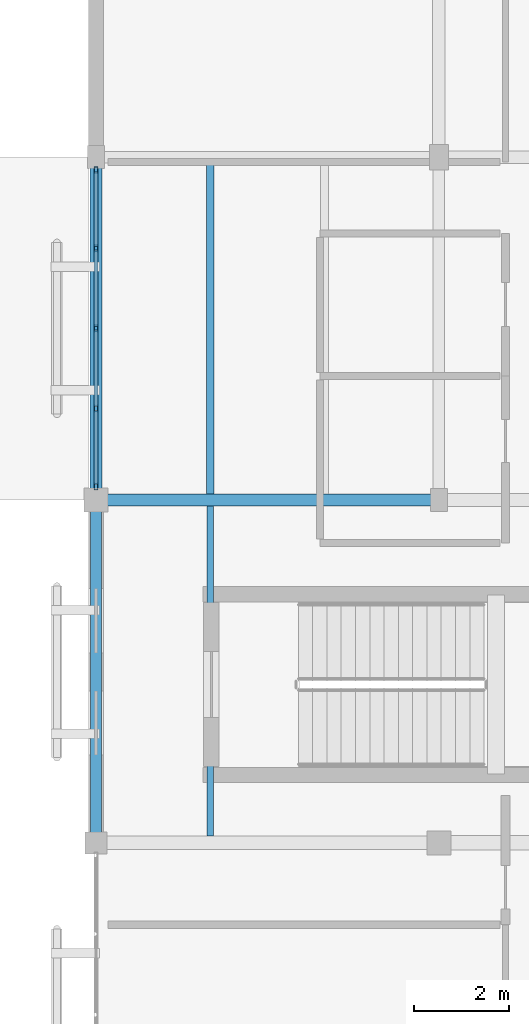
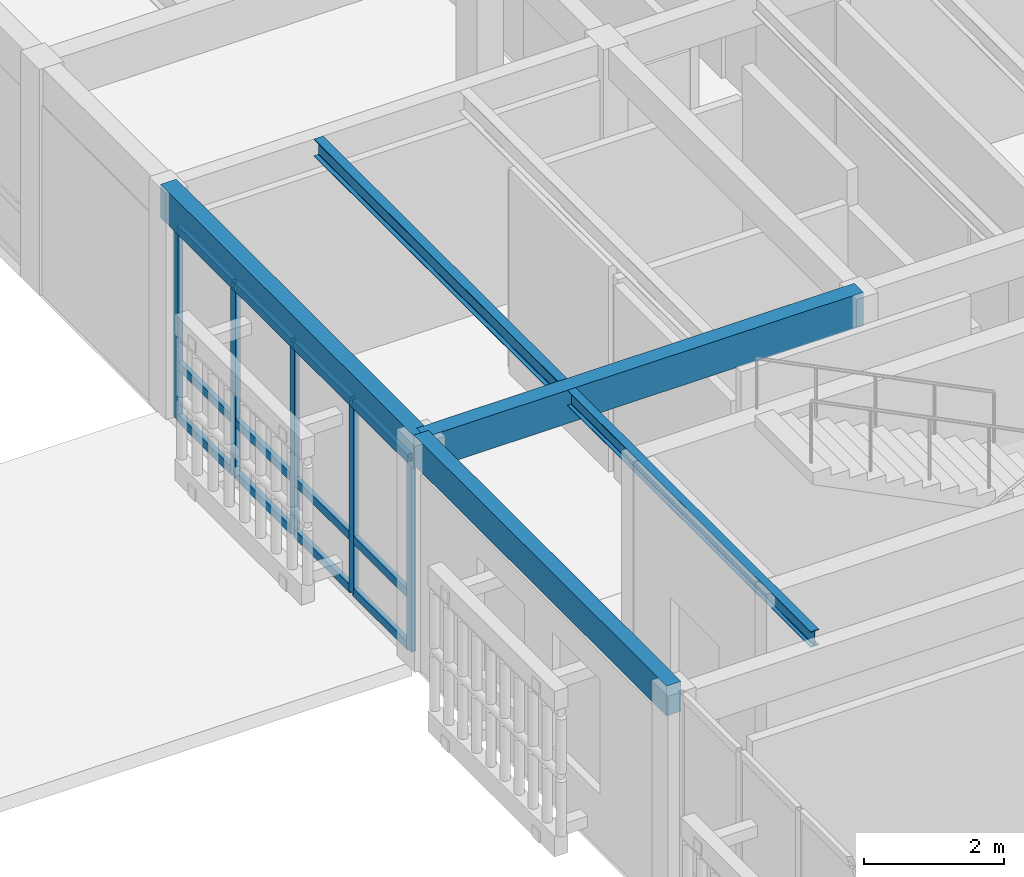
# One storey, part 50 of 112: 17 members, 5 beams, 1 element without a shape of its own.
"""IFC4 building model written with IfcOpenShell, lengths in metres."""

from ifc_helpers import new_model, si_unit, direction, frame, origin, origin_2d, place, context, subcontext, project, spatial, rectangle, hollow_rectangle, i_section, extrude, material, layer, layer_set, material_profile, profile_set, type_object, element, aggregate, save


model = new_model("IFC4")

# Units and contexts
model_context = context("Model", 3, precision=1e-05, world=origin(), true_north=direction((0.0, 1.0)))
body_context = subcontext(model_context, "Body", "Model", "MODEL_VIEW")
ifc_project = project(units=[si_unit("LENGTHUNIT", "METRE"), si_unit("AREAUNIT", "SQUARE_METRE"), si_unit("VOLUMEUNIT", "CUBIC_METRE"), si_unit("PLANEANGLEUNIT", "RADIAN"), si_unit("MASSUNIT", "GRAM", prefix="KILO")], contexts=[model_context])

# Site, building, storey
site_placement = place(None, origin())
site = spatial("IfcSite", under=ifc_project, at=site_placement, CompositionType="ELEMENT")
building_placement = place(site_placement, origin())
building = spatial("IfcBuilding", under=site, at=building_placement, Name="Mazaris Harbour Polytechnic", CompositionType="ELEMENT")
storey_placement = place(building_placement, frame((0.0, 0.0, 13.800048828125)))
storey = spatial("IfcBuildingStorey", under=building, at=storey_placement, Name="L03", CompositionType="ELEMENT", Elevation=13.800048828125)

# Curtain wall, members
ifc_material_1 = material(Name="Anodised Bronze Aluminium and Low-E Glass", Category="aluminium")
ifc_layer = layer(ifc_material_1, 0.169921875, Name="Anodised Bronze Aluminium and Low-E Glass")
ifc_layer_set = layer_set([ifc_layer], Name="Anodised Bronze Aluminium and Low-E Glass")
curtain_wall_type = type_object("IfcCurtainWallType", Name="Studio North-Light Curtain Wall", PredefinedType="NOTDEFINED", material=ifc_layer_set)
curtain_wall_placement = place(storey_placement, origin())
curtain_wall = element("IfcCurtainWall", 1, at=curtain_wall_placement, inside=storey, type_object=curtain_wall_type, Name="V5 L03 Curtain Wall 255", PredefinedType="NOTDEFINED")
ifc_material_2 = material(Name="Anodised Bronze Steel S355", Category="steel")
ifc_material_profile_1 = material_profile(ifc_material_2, hollow_rectangle(XDim=0.080078125, YDim=0.139892578125, WallThickness=0.00634765625, at=origin_2d()), Name="RHS 80x140x6.3")
ifc_profile_set_1 = profile_set([ifc_material_profile_1], Name="Anodised Bronze Steel S355")
member_type_1 = type_object("IfcMemberType", Name="Curtain Mullion RHS80x140", PredefinedType="MULLION", material=ifc_profile_set_1)
member_1_placement = place(storey_placement, frame((122.39990234375, 75.882080078125, 0.0), z_axis=(0.0, 0.0, 1.0), x_axis=(-1.0, 0.0, 0.0)))
member_1 = element("IfcMember", 2, at=member_1_placement, type_object=member_type_1, Name="CW-03 mullion 1", PredefinedType="MULLION", context=body_context, shape_type="SweptSolid", body=[
    extrude(hollow_rectangle(XDim=0.080078125, YDim=0.139892578125, WallThickness=0.00634765625, at=origin_2d()), origin(), (0.0, 0.0, 1.0), 3.344970703125),
])
member_2_placement = place(storey_placement, frame((122.39990234375, 77.5234375, 0.0), z_axis=(0.0, 0.0, 1.0), x_axis=(-1.0, 0.0, 0.0)))
member_2 = element("IfcMember", 3, at=member_2_placement, type_object=member_type_1, Name="CW-03 mullion 2", PredefinedType="MULLION", context=body_context, shape_type="SweptSolid", body=[
    extrude(hollow_rectangle(XDim=0.080078125, YDim=0.139892578125, WallThickness=0.00634765625, at=origin_2d()), origin(), (0.0, 0.0, 1.0), 3.344970703125),
])
member_3_placement = place(storey_placement, frame((122.39990234375, 79.205078125, 0.0), z_axis=(0.0, 0.0, 1.0), x_axis=(-1.0, 0.0, 0.0)))
member_3 = element("IfcMember", 4, at=member_3_placement, type_object=member_type_1, Name="CW-03 mullion 3", PredefinedType="MULLION", context=body_context, shape_type="SweptSolid", body=[
    extrude(hollow_rectangle(XDim=0.080078125, YDim=0.139892578125, WallThickness=0.00634765625, at=origin_2d()), origin(), (0.0, 0.0, 1.0), 3.344970703125),
])
member_4_placement = place(storey_placement, frame((122.39990234375, 80.886474609375, 0.0), z_axis=(0.0, 0.0, 1.0), x_axis=(-1.0, 0.0, 0.0)))
member_4 = element("IfcMember", 5, at=member_4_placement, type_object=member_type_1, Name="CW-03 mullion 4", PredefinedType="MULLION", context=body_context, shape_type="SweptSolid", body=[
    extrude(hollow_rectangle(XDim=0.080078125, YDim=0.139892578125, WallThickness=0.00634765625, at=origin_2d()), origin(), (0.0, 0.0, 1.0), 3.344970703125),
])
member_5_placement = place(storey_placement, frame((122.39990234375, 82.528076171875, 0.0), z_axis=(0.0, 0.0, 1.0), x_axis=(-1.0, 0.0, 0.0)))
member_5 = element("IfcMember", 6, at=member_5_placement, type_object=member_type_1, Name="CW-03 mullion 5", PredefinedType="MULLION", context=body_context, shape_type="SweptSolid", body=[
    extrude(hollow_rectangle(XDim=0.080078125, YDim=0.139892578125, WallThickness=0.00634765625, at=origin_2d()), origin(), (0.0, 0.0, 1.0), 3.344970703125),
])
ifc_material_3 = material(Name="Anodised Bronze Steel S355", Category="steel")
ifc_material_profile_2 = material_profile(ifc_material_3, hollow_rectangle(XDim=0.080078125, YDim=0.139892578125, WallThickness=0.00634765625, at=origin_2d()), Name="RHS 80x140x6.3")
ifc_profile_set_2 = profile_set([ifc_material_profile_2], Name="Anodised Bronze Steel S355")
member_type_2 = type_object("IfcMemberType", Name="Curtain Transom RHS80x140", PredefinedType="USERDEFINED", material=ifc_profile_set_2)
member_6_placement = place(storey_placement, frame((122.39990234375, 75.922119140625, 0.0400390625), z_axis=(0.0, 1.0, 0.0), x_axis=(-1.0, 0.0, 0.0)))
member_6 = element("IfcMember", 7, at=member_6_placement, type_object=member_type_2, Name="CW-03 transom 1.1", ObjectType="TRANSOM", PredefinedType="USERDEFINED", context=body_context, shape_type="SweptSolid", body=[
    extrude(hollow_rectangle(XDim=0.080078125, YDim=0.139892578125, WallThickness=0.00634765625, at=origin_2d()), origin(), (0.0, 0.0, 1.0), 1.561279296875),
])
member_7_placement = place(storey_placement, frame((122.39990234375, 75.922119140625, 0.949951171875), z_axis=(0.0, 1.0, 0.0), x_axis=(-1.0, 0.0, 0.0)))
member_7 = element("IfcMember", 8, at=member_7_placement, type_object=member_type_2, Name="CW-03 transom 1.2", ObjectType="TRANSOM", PredefinedType="USERDEFINED", context=body_context, shape_type="SweptSolid", body=[
    extrude(hollow_rectangle(XDim=0.080078125, YDim=0.139892578125, WallThickness=0.00634765625, at=origin_2d()), origin(), (0.0, 0.0, 1.0), 1.561279296875),
])
member_8_placement = place(storey_placement, frame((122.39990234375, 75.922119140625, 3.304931640625), z_axis=(0.0, 1.0, 0.0), x_axis=(-1.0, 0.0, 0.0)))
member_8 = element("IfcMember", 9, at=member_8_placement, type_object=member_type_2, Name="CW-03 transom 1.3", ObjectType="TRANSOM", PredefinedType="USERDEFINED", context=body_context, shape_type="SweptSolid", body=[
    extrude(hollow_rectangle(XDim=0.080078125, YDim=0.139892578125, WallThickness=0.00634765625, at=origin_2d()), origin(), (0.0, 0.0, 1.0), 1.561279296875),
])
member_9_placement = place(storey_placement, frame((122.39990234375, 77.5634765625, 0.0400390625), z_axis=(0.0, 1.0, 0.0), x_axis=(-1.0, 0.0, 0.0)))
member_9 = element("IfcMember", 10, at=member_9_placement, type_object=member_type_2, Name="CW-03 transom 2.1", ObjectType="TRANSOM", PredefinedType="USERDEFINED", context=body_context, shape_type="SweptSolid", body=[
    extrude(hollow_rectangle(XDim=0.080078125, YDim=0.139892578125, WallThickness=0.00634765625, at=origin_2d()), origin(), (0.0, 0.0, 1.0), 1.6015625),
])
member_10_placement = place(storey_placement, frame((122.39990234375, 77.5634765625, 0.949951171875), z_axis=(0.0, 1.0, 0.0), x_axis=(-1.0, 0.0, 0.0)))
member_10 = element("IfcMember", 11, at=member_10_placement, type_object=member_type_2, Name="CW-03 transom 2.2", ObjectType="TRANSOM", PredefinedType="USERDEFINED", context=body_context, shape_type="SweptSolid", body=[
    extrude(hollow_rectangle(XDim=0.080078125, YDim=0.139892578125, WallThickness=0.00634765625, at=origin_2d()), origin(), (0.0, 0.0, 1.0), 1.6015625),
])
member_11_placement = place(storey_placement, frame((122.39990234375, 77.5634765625, 3.304931640625), z_axis=(0.0, 1.0, 0.0), x_axis=(-1.0, 0.0, 0.0)))
member_11 = element("IfcMember", 12, at=member_11_placement, type_object=member_type_2, Name="CW-03 transom 2.3", ObjectType="TRANSOM", PredefinedType="USERDEFINED", context=body_context, shape_type="SweptSolid", body=[
    extrude(hollow_rectangle(XDim=0.080078125, YDim=0.139892578125, WallThickness=0.00634765625, at=origin_2d()), origin(), (0.0, 0.0, 1.0), 1.6015625),
])
member_12_placement = place(storey_placement, frame((122.39990234375, 79.2451171875, 0.0400390625), z_axis=(0.0, 1.0, 0.0), x_axis=(-1.0, 0.0, 0.0)))
member_12 = element("IfcMember", 13, at=member_12_placement, type_object=member_type_2, Name="CW-03 transom 3.1", ObjectType="TRANSOM", PredefinedType="USERDEFINED", context=body_context, shape_type="SweptSolid", body=[
    extrude(hollow_rectangle(XDim=0.080078125, YDim=0.139892578125, WallThickness=0.00634765625, at=origin_2d()), origin(), (0.0, 0.0, 1.0), 1.601318359375),
])
member_13_placement = place(storey_placement, frame((122.39990234375, 79.2451171875, 0.949951171875), z_axis=(0.0, 1.0, 0.0), x_axis=(-1.0, 0.0, 0.0)))
member_13 = element("IfcMember", 14, at=member_13_placement, type_object=member_type_2, Name="CW-03 transom 3.2", ObjectType="TRANSOM", PredefinedType="USERDEFINED", context=body_context, shape_type="SweptSolid", body=[
    extrude(hollow_rectangle(XDim=0.080078125, YDim=0.139892578125, WallThickness=0.00634765625, at=origin_2d()), origin(), (0.0, 0.0, 1.0), 1.601318359375),
])
member_14_placement = place(storey_placement, frame((122.39990234375, 79.2451171875, 3.304931640625), z_axis=(0.0, 1.0, 0.0), x_axis=(-1.0, 0.0, 0.0)))
member_14 = element("IfcMember", 15, at=member_14_placement, type_object=member_type_2, Name="CW-03 transom 3.3", ObjectType="TRANSOM", PredefinedType="USERDEFINED", context=body_context, shape_type="SweptSolid", body=[
    extrude(hollow_rectangle(XDim=0.080078125, YDim=0.139892578125, WallThickness=0.00634765625, at=origin_2d()), origin(), (0.0, 0.0, 1.0), 1.601318359375),
])
member_15_placement = place(storey_placement, frame((122.39990234375, 80.926513671875, 0.0400390625), z_axis=(0.0, 1.0, 0.0), x_axis=(-1.0, 0.0, 0.0)))
member_15 = element("IfcMember", 16, at=member_15_placement, type_object=member_type_2, Name="CW-03 transom 4.1", ObjectType="TRANSOM", PredefinedType="USERDEFINED", context=body_context, shape_type="SweptSolid", body=[
    extrude(hollow_rectangle(XDim=0.080078125, YDim=0.139892578125, WallThickness=0.00634765625, at=origin_2d()), origin(), (0.0, 0.0, 1.0), 1.5615234375),
])
member_16_placement = place(storey_placement, frame((122.39990234375, 80.926513671875, 0.949951171875), z_axis=(0.0, 1.0, 0.0), x_axis=(-1.0, 0.0, 0.0)))
member_16 = element("IfcMember", 17, at=member_16_placement, type_object=member_type_2, Name="CW-03 transom 4.2", ObjectType="TRANSOM", PredefinedType="USERDEFINED", context=body_context, shape_type="SweptSolid", body=[
    extrude(hollow_rectangle(XDim=0.080078125, YDim=0.139892578125, WallThickness=0.00634765625, at=origin_2d()), origin(), (0.0, 0.0, 1.0), 1.5615234375),
])
member_17_placement = place(storey_placement, frame((122.39990234375, 80.926513671875, 3.304931640625), z_axis=(0.0, 1.0, 0.0), x_axis=(-1.0, 0.0, 0.0)))
member_17 = element("IfcMember", 18, at=member_17_placement, type_object=member_type_2, Name="CW-03 transom 4.3", ObjectType="TRANSOM", PredefinedType="USERDEFINED", context=body_context, shape_type="SweptSolid", body=[
    extrude(hollow_rectangle(XDim=0.080078125, YDim=0.139892578125, WallThickness=0.00634765625, at=origin_2d()), origin(), (0.0, 0.0, 1.0), 1.5615234375),
])
aggregate(curtain_wall, [member_1, member_2, member_3, member_4, member_5, member_6, member_7, member_8, member_9, member_10, member_11, member_12, member_13, member_14, member_15, member_16, member_17])

# Beams
ifc_material_4 = material(Name="Glulam GL32h", Category="wood")
ifc_material_profile_3 = material_profile(ifc_material_4, rectangle(XDim=0.239990234375, YDim=0.52001953125, at=origin_2d()), Name="RECT240x520")
ifc_profile_set_3 = profile_set([ifc_material_profile_3], Name="Glulam GL32h")
beam_type_1 = type_object("IfcBeamType", Name="Glulam Girder 240x520 Exterior", PredefinedType="BEAM", material=ifc_profile_set_3)
beam_1_placement = place(storey_placement, frame((122.39990234375, 68.39990234375, 3.675048828125), z_axis=(0.0, 1.0, 0.0), x_axis=(-1.0, 0.0, 0.0)))
element("IfcBeam", 19, at=beam_1_placement, inside=storey, type_object=beam_type_1, Name="V5 L03 Tie Girder 3330", PredefinedType="BEAM", context=body_context, shape_type="SweptSolid", body=[
    extrude(rectangle(XDim=0.239990234375, YDim=0.52001953125, at=origin_2d()), origin(), (0.0, 0.0, 1.0), 7.2001953125),
])
ifc_material_5 = material(Name="Glulam GL32h", Category="wood")
ifc_material_profile_4 = material_profile(ifc_material_5, rectangle(XDim=0.260009765625, YDim=0.580078125, at=origin_2d()), Name="RECT260x580")
ifc_profile_set_4 = profile_set([ifc_material_profile_4], Name="Glulam GL32h")
beam_type_2 = type_object("IfcBeamType", Name="Glulam Girder 260x580", PredefinedType="BEAM", material=ifc_profile_set_4)
beam_2_placement = place(storey_placement, frame((122.39990234375, 75.60009765625, 3.64501953125), z_axis=(1.0, 0.0, 0.0), x_axis=(0.0, 1.0, 0.0)))
element("IfcBeam", 20, at=beam_2_placement, inside=storey, type_object=beam_type_2, Name="V5 L03 Girder 3301", PredefinedType="BEAM", context=body_context, shape_type="SweptSolid", body=[
    extrude(rectangle(XDim=0.260009765625, YDim=0.580078125, at=origin_2d()), origin(), (0.0, 0.0, 1.0), 7.2001953125),
])
ifc_material_6 = material(Name="Glulam GL32h", Category="wood")
ifc_material_profile_5 = material_profile(ifc_material_6, rectangle(XDim=0.260009765625, YDim=0.580078125, at=origin_2d()), Name="RECT260x580")
ifc_profile_set_5 = profile_set([ifc_material_profile_5], Name="Glulam GL32h")
beam_type_3 = type_object("IfcBeamType", Name="Glulam Girder 260x580 Exterior", PredefinedType="BEAM", material=ifc_profile_set_5)
beam_3_placement = place(storey_placement, frame((122.39990234375, 75.60009765625, 3.64501953125), z_axis=(0.0, 1.0, 0.0), x_axis=(-1.0, 0.0, 0.0)))
element("IfcBeam", 21, at=beam_3_placement, inside=storey, type_object=beam_type_3, Name="V5 L03 Tie Girder 3331", PredefinedType="BEAM", context=body_context, shape_type="SweptSolid", body=[
    extrude(rectangle(XDim=0.260009765625, YDim=0.580078125, at=origin_2d()), origin(), (0.0, 0.0, 1.0), 7.199951171875),
])
ifc_material_7 = material(Name="Steel S355", Category="steel")
ifc_material_profile_6 = material_profile(ifc_material_7, i_section(OverallWidth=0.135009765625, OverallDepth=0.27001953125, WebThickness=0.006591796875, FlangeThickness=0.01025390625, FilletRadius=0.014892578125, at=origin_2d()), Name="IPE 270")
ifc_profile_set_6 = profile_set([ifc_material_profile_6], Name="Steel S355")
beam_type_4 = type_object("IfcBeamType", Name="Steel Joist IPE270", PredefinedType="JOIST", material=ifc_profile_set_6)
beam_4_placement = place(storey_placement, frame((124.800048828125, 68.5400390625, 3.800048828125), z_axis=(0.0, 1.0, 0.0), x_axis=(-1.0, 0.0, 0.0)))
element("IfcBeam", 22, at=beam_4_placement, inside=storey, type_object=beam_type_4, Name="V5 L03 Floor Joist 3362", PredefinedType="JOIST", context=body_context, shape_type="SweptSolid", body=[
    extrude(i_section(OverallWidth=0.135009765625, OverallDepth=0.27001953125, WebThickness=0.006591796875, FlangeThickness=0.01025390625, FilletRadius=0.014892578125, at=origin_2d()), origin(), (0.0, 0.0, 1.0), 6.929931640625),
])
ifc_material_8 = material(Name="Steel S355", Category="steel")
ifc_material_profile_7 = material_profile(ifc_material_8, i_section(OverallWidth=0.14990234375, OverallDepth=0.300048828125, WebThickness=0.007080078125, FlangeThickness=0.0107421875, FilletRadius=0.014892578125, at=origin_2d()), Name="IPE 300")
ifc_profile_set_7 = profile_set([ifc_material_profile_7], Name="Steel S355")
beam_type_5 = type_object("IfcBeamType", Name="Steel Joist IPE300", PredefinedType="JOIST", material=ifc_profile_set_7)
beam_5_placement = place(storey_placement, frame((124.800048828125, 75.72998046875, 3.784912109375), z_axis=(0.0, 1.0, 0.0), x_axis=(-1.0, 0.0, 0.0)))
element("IfcBeam", 23, at=beam_5_placement, inside=storey, type_object=beam_type_5, Name="V5 L03 Floor Joist 3363", PredefinedType="JOIST", context=body_context, shape_type="SweptSolid", body=[
    extrude(i_section(OverallWidth=0.14990234375, OverallDepth=0.300048828125, WebThickness=0.007080078125, FlangeThickness=0.0107421875, FilletRadius=0.014892578125, at=origin_2d()), origin(), (0.0, 0.0, 1.0), 6.949951171875),
])

save(model, "model.ifc")
